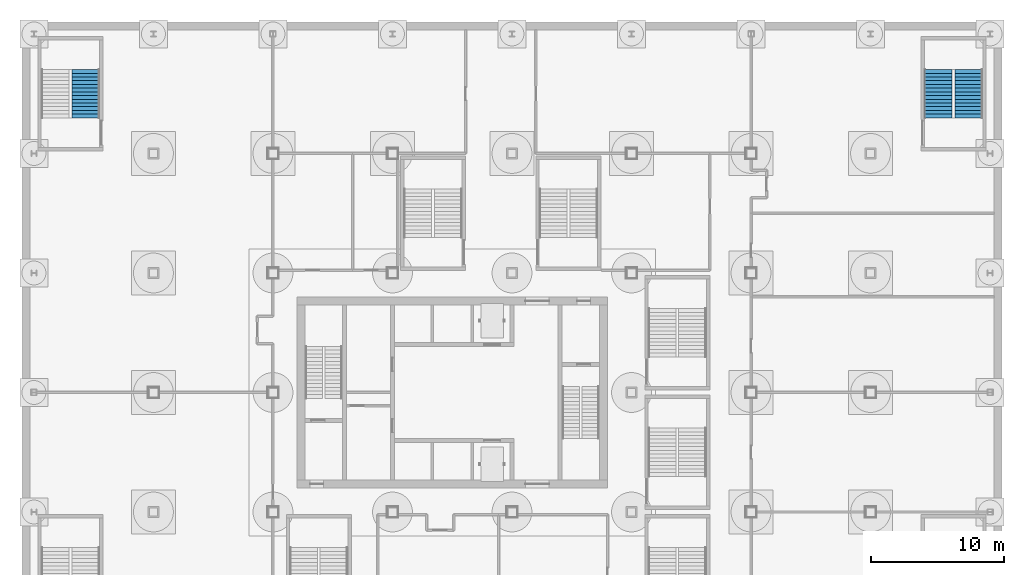
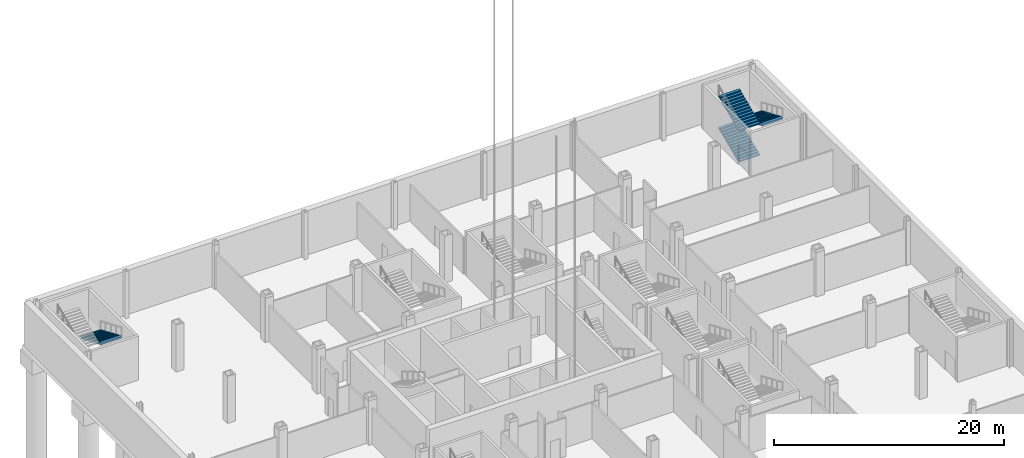
# One storey, part 15 of 28: 4 stair flights, 2 elements without a shape of their own.
"""IFC4 building model written with IfcOpenShell, lengths in metres."""

from ifc_helpers import new_model, si_unit, direction, frame, origin, place, context, subcontext, project, spatial, polyline, outline, extrude, material, type_object, element, aggregate, save


model = new_model("IFC4")

# Units and contexts
model_context = context("Model", 3, precision=1e-05, world=origin(), true_north=direction((0.0, 1.0)))
body_context = subcontext(model_context, "Body", "Model", "MODEL_VIEW")
ifc_project = project(units=[si_unit("LENGTHUNIT", "METRE"), si_unit("AREAUNIT", "SQUARE_METRE"), si_unit("VOLUMEUNIT", "CUBIC_METRE"), si_unit("PLANEANGLEUNIT", "RADIAN"), si_unit("MASSUNIT", "GRAM", prefix="KILO")], contexts=[model_context])

# Site, building, storey
site_placement = place(None, origin())
site = spatial("IfcSite", under=ifc_project, at=site_placement, CompositionType="ELEMENT")
building_placement = place(site_placement, origin())
building = spatial("IfcBuilding", under=site, at=building_placement, Name="Loomwork Tower", CompositionType="ELEMENT")
storey_placement = place(building_placement, frame((0.0, 0.0, -10.5)))
storey = spatial("IfcBuildingStorey", under=building, at=storey_placement, Name="B2", CompositionType="ELEMENT", Elevation=-10.5)

# Stair, stair flight
ifc_material_1 = material(Name="Concrete 5000 psi (34 MPa) precast stair", Category="concrete")
stair_type_1 = type_object("IfcStairType", Name="Stair ST-S3P 42 risers of 119 4400 wide", PredefinedType="HALF_TURN_STAIR", material=ifc_material_1)
stair_1_placement = place(storey_placement, origin())
stair_1 = element("IfcStair", 1, at=stair_1_placement, inside=storey, type_object=stair_type_1, Name="Podium stair PS3 B2", PredefinedType="HALF_TURN_STAIR")
ifc_material_2 = material(Name="Concrete 5000 psi (34 MPa) precast stair", Category="concrete")
stair_flight_type_1 = type_object("IfcStairFlightType", Name="Stair flight ST-S3P 14 risers of 119 2100 wide", PredefinedType="STRAIGHT", material=ifc_material_2)
stair_flight_1_placement = place(storey_placement, frame((-5.10009765625, 42.320068359375, 1.666748046875), z_axis=(0.0, 0.0, 1.0), x_axis=(0.0, -1.0, 0.0)))
stair_flight_1 = element("IfcStairFlight", 2, at=stair_flight_1_placement, type_object=stair_flight_type_1, Name="ST-S3P flight 2", NumberOfRisers=14, NumberOfTreads=13, PredefinedType="STRAIGHT", RiserHeight=0.119047619, TreadLength=0.28, context=body_context, shape_type="SweptSolid", body=[
    extrude(outline(polyline([(0.0, 0.0), (0.0, 0.119140625), (0.280029296875, 0.119140625), (0.280029296875, 0.238037109375), (0.56005859375, 0.238037109375), (0.56005859375, 0.357177734375), (0.840087890625, 0.357177734375), (0.840087890625, 0.47607421875), (1.1201171875, 0.47607421875), (1.1201171875, 0.59521484375), (1.39990234375, 0.59521484375), (1.39990234375, 0.71435546875), (1.679931640625, 0.71435546875), (1.679931640625, 0.833251953125), (1.9599609375, 0.833251953125), (1.9599609375, 0.952392578125), (2.239990234375, 0.952392578125), (2.239990234375, 1.071533203125), (2.52001953125, 1.071533203125), (2.52001953125, 1.1904296875), (2.800048828125, 1.1904296875), (2.800048828125, 1.3095703125), (3.080078125, 1.3095703125), (3.080078125, 1.428466796875), (3.360107421875, 1.428466796875), (3.360107421875, 1.547607421875), (3.639892578125, 1.547607421875), (3.639892578125, 1.666748046875), (3.639892578125, 1.384765625), (0.383056640625, 0.0), (0.0, 0.0)])), frame((0.0, 1.050048828125, 0.0), z_axis=(0.0, -1.0, 0.0), x_axis=(1.0, 0.0, 0.0)), (0.0, 0.0, 1.0), 2.10009765625),
])
aggregate(stair_1, [stair_flight_1])

# Stair, stair flights
ifc_material_3 = material(Name="Concrete 5000 psi (34 MPa) precast stair", Category="concrete")
stair_type_2 = type_object("IfcStairType", Name="Stair ST-S4P 42 risers of 119 4400 wide", PredefinedType="HALF_TURN_STAIR", material=ifc_material_3)
stair_2_placement = place(storey_placement, origin())
stair_2 = element("IfcStair", 3, at=stair_2_placement, inside=storey, type_object=stair_type_2, Name="Podium stair PS4 B2", PredefinedType="HALF_TURN_STAIR")
ifc_material_4 = material(Name="Concrete 5000 psi (34 MPa) precast stair", Category="concrete")
stair_flight_type_2 = type_object("IfcStairFlightType", Name="Stair flight ST-S4P 14 risers of 119 2100 wide", PredefinedType="STRAIGHT", material=ifc_material_4)
stair_flight_2_placement = place(storey_placement, frame((59.10009765625, 38.679931640625, 0.0), z_axis=(0.0, 0.0, 1.0), x_axis=(0.0, 1.0, 0.0)))
stair_flight_2 = element("IfcStairFlight", 4, at=stair_flight_2_placement, type_object=stair_flight_type_2, Name="ST-S4P flight 1", NumberOfRisers=14, NumberOfTreads=13, PredefinedType="STRAIGHT", RiserHeight=0.119047619, TreadLength=0.28, context=body_context, shape_type="SweptSolid", body=[
    extrude(outline(polyline([(0.0, 0.0), (0.0, 0.119140625), (0.280029296875, 0.119140625), (0.280029296875, 0.238037109375), (0.56005859375, 0.238037109375), (0.56005859375, 0.357177734375), (0.840087890625, 0.357177734375), (0.840087890625, 0.47607421875), (1.1201171875, 0.47607421875), (1.1201171875, 0.59521484375), (1.39990234375, 0.59521484375), (1.39990234375, 0.71435546875), (1.679931640625, 0.71435546875), (1.679931640625, 0.833251953125), (1.9599609375, 0.833251953125), (1.9599609375, 0.952392578125), (2.239990234375, 0.952392578125), (2.239990234375, 1.071533203125), (2.52001953125, 1.071533203125), (2.52001953125, 1.1904296875), (2.800048828125, 1.1904296875), (2.800048828125, 1.3095703125), (3.080078125, 1.3095703125), (3.080078125, 1.428466796875), (3.360107421875, 1.428466796875), (3.360107421875, 1.547607421875), (3.639892578125, 1.547607421875), (3.639892578125, 1.666748046875), (3.639892578125, 1.384765625), (0.383056640625, 0.0), (0.0, 0.0)])), frame((0.0, 1.050048828125, 0.0), z_axis=(0.0, -1.0, 0.0), x_axis=(1.0, 0.0, 0.0)), (0.0, 0.0, 1.0), 2.10009765625),
])
stair_flight_3_placement = place(storey_placement, frame((61.39990234375, 42.320068359375, 1.666748046875), z_axis=(0.0, 0.0, 1.0), x_axis=(0.0, -1.0, 0.0)))
stair_flight_3 = element("IfcStairFlight", 5, at=stair_flight_3_placement, type_object=stair_flight_type_2, Name="ST-S4P flight 2", NumberOfRisers=14, NumberOfTreads=13, PredefinedType="STRAIGHT", RiserHeight=0.119047619, TreadLength=0.28, context=body_context, shape_type="SweptSolid", body=[
    extrude(outline(polyline([(0.0, 0.0), (0.0, 0.119140625), (0.280029296875, 0.119140625), (0.280029296875, 0.238037109375), (0.56005859375, 0.238037109375), (0.56005859375, 0.357177734375), (0.840087890625, 0.357177734375), (0.840087890625, 0.47607421875), (1.1201171875, 0.47607421875), (1.1201171875, 0.59521484375), (1.39990234375, 0.59521484375), (1.39990234375, 0.71435546875), (1.679931640625, 0.71435546875), (1.679931640625, 0.833251953125), (1.9599609375, 0.833251953125), (1.9599609375, 0.952392578125), (2.239990234375, 0.952392578125), (2.239990234375, 1.071533203125), (2.52001953125, 1.071533203125), (2.52001953125, 1.1904296875), (2.800048828125, 1.1904296875), (2.800048828125, 1.3095703125), (3.080078125, 1.3095703125), (3.080078125, 1.428466796875), (3.360107421875, 1.428466796875), (3.360107421875, 1.547607421875), (3.639892578125, 1.547607421875), (3.639892578125, 1.666748046875), (3.639892578125, 1.384765625), (0.383056640625, 0.0), (0.0, 0.0)])), frame((0.0, 1.050048828125, 0.0), z_axis=(0.0, -1.0, 0.0), x_axis=(1.0, 0.0, 0.0)), (0.0, 0.0, 1.0), 2.10009765625),
])
stair_flight_4_placement = place(storey_placement, frame((59.10009765625, 38.679931640625, 3.333251953125), z_axis=(0.0, 0.0, 1.0), x_axis=(0.0, 1.0, 0.0)))
stair_flight_4 = element("IfcStairFlight", 6, at=stair_flight_4_placement, type_object=stair_flight_type_2, Name="ST-S4P flight 3", NumberOfRisers=14, NumberOfTreads=13, PredefinedType="STRAIGHT", RiserHeight=0.119047619, TreadLength=0.28, context=body_context, shape_type="SweptSolid", body=[
    extrude(outline(polyline([(0.0, 0.0), (0.0, 0.119140625), (0.280029296875, 0.119140625), (0.280029296875, 0.238037109375), (0.56005859375, 0.238037109375), (0.56005859375, 0.357177734375), (0.840087890625, 0.357177734375), (0.840087890625, 0.47607421875), (1.1201171875, 0.47607421875), (1.1201171875, 0.59521484375), (1.39990234375, 0.59521484375), (1.39990234375, 0.71435546875), (1.679931640625, 0.71435546875), (1.679931640625, 0.833251953125), (1.9599609375, 0.833251953125), (1.9599609375, 0.952392578125), (2.239990234375, 0.952392578125), (2.239990234375, 1.071533203125), (2.52001953125, 1.071533203125), (2.52001953125, 1.1904296875), (2.800048828125, 1.1904296875), (2.800048828125, 1.3095703125), (3.080078125, 1.3095703125), (3.080078125, 1.428466796875), (3.360107421875, 1.428466796875), (3.360107421875, 1.547607421875), (3.639892578125, 1.547607421875), (3.639892578125, 1.666748046875), (3.639892578125, 1.384765625), (0.383056640625, 0.0), (0.0, 0.0)])), frame((0.0, 1.050048828125, 0.0), z_axis=(0.0, -1.0, 0.0), x_axis=(1.0, 0.0, 0.0)), (0.0, 0.0, 1.0), 2.10009765625),
])
aggregate(stair_2, [stair_flight_2, stair_flight_3, stair_flight_4])

save(model, "model.ifc")
